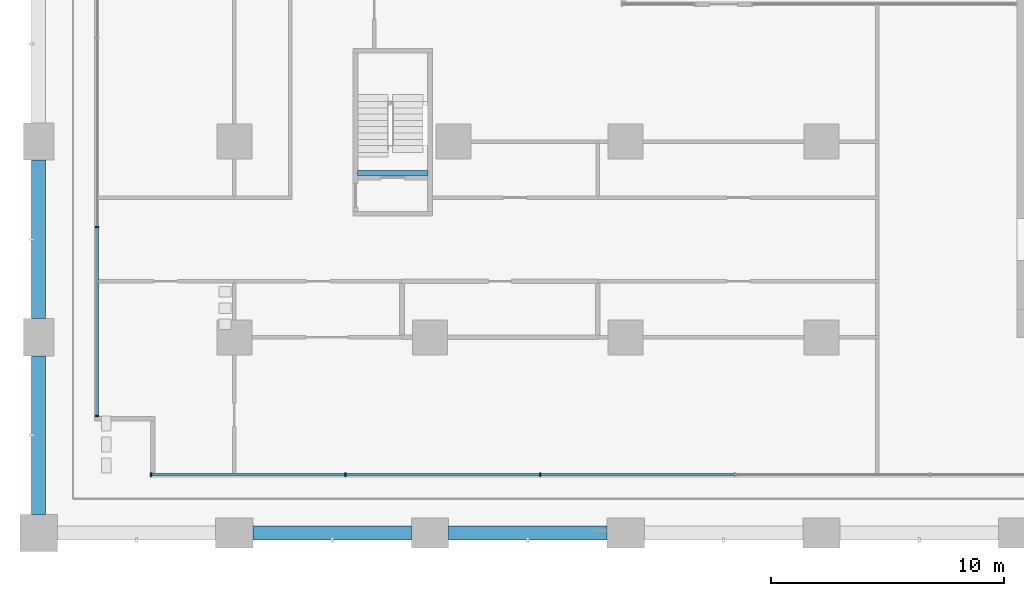
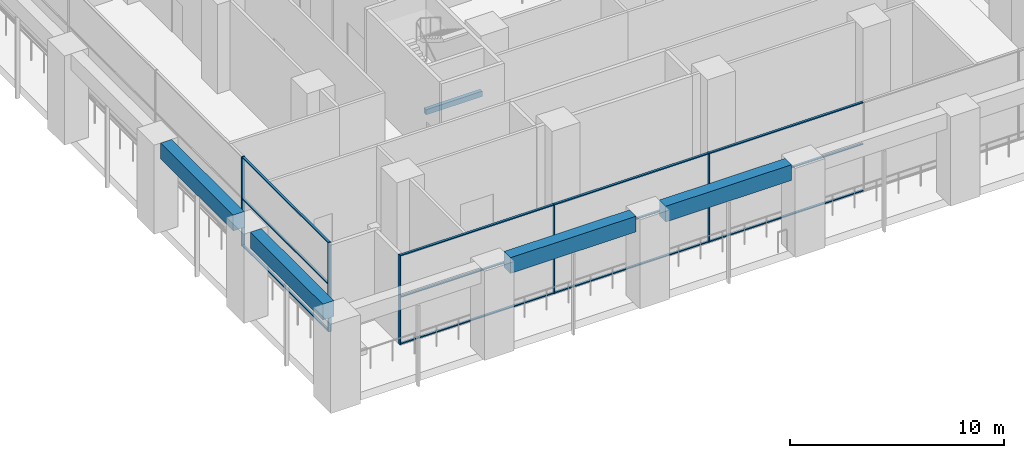
# One storey, part 2 of 33: 17 members, 5 beams, 2 elements without a shape of their own.
"""IFC4 building model written with IfcOpenShell, lengths in metres."""

from ifc_helpers import new_model, si_unit, direction, frame, origin, origin_2d, place, context, subcontext, project, spatial, rectangle, extrude, material, material_profile, profile_set, type_object, element, aggregate, save


model = new_model("IFC4")

# Units and contexts
model_context = context("Model", 3, precision=1e-05, world=origin(), true_north=direction((0.0, 1.0)))
body_context = subcontext(model_context, "Body", "Model", "MODEL_VIEW")
ifc_project = project(units=[si_unit("LENGTHUNIT", "METRE"), si_unit("AREAUNIT", "SQUARE_METRE"), si_unit("VOLUMEUNIT", "CUBIC_METRE"), si_unit("PLANEANGLEUNIT", "RADIAN"), si_unit("MASSUNIT", "GRAM", prefix="KILO")], contexts=[model_context])

# Site, building, storey
site_placement = place(None, origin())
site = spatial("IfcSite", under=ifc_project, at=site_placement, CompositionType="ELEMENT")
building_placement = place(site_placement, origin())
building = spatial("IfcBuilding", under=site, at=building_placement, Name="Vermilion Gate Residences", CompositionType="ELEMENT")
storey_placement = place(building_placement, frame((0.0, 0.0, 14.39990234375)))
storey = spatial("IfcBuildingStorey", under=building, at=storey_placement, Name="L02", CompositionType="ELEMENT", Elevation=14.39990234375)

# Curtain wall, members
ifc_material_1 = material(Name="Aluminium and glass", Category="aluminium")
curtain_wall_type = type_object("IfcCurtainWallType", Name="AMENITY GLAZING CURTAIN WALL", PredefinedType="NOTDEFINED", material=ifc_material_1)
curtain_wall_1_placement = place(storey_placement, origin())
curtain_wall_1 = element("IfcCurtainWall", 1, at=curtain_wall_1_placement, inside=storey, type_object=curtain_wall_type, Name="Amenity Glazing 30", PredefinedType="NOTDEFINED")
ifc_material_2 = material(Name="Aluminium", Category="aluminium")
ifc_material_profile_1 = material_profile(ifc_material_2, rectangle(XDim=0.159912109375, YDim=0.06005859375, at=origin_2d()), Name="MULLION 60 X 160")
ifc_profile_set_1 = profile_set([ifc_material_profile_1], Name="Aluminium")
member_type_1 = type_object("IfcMemberType", Name="AMENITY GLAZING MULLION 60 X 160", PredefinedType="MULLION", material=ifc_profile_set_1)
member_1_placement = place(storey_placement, frame((2.5, 13.13330078125, 0.0), z_axis=(0.0, 0.0, 1.0), x_axis=(1.0, 0.0, 0.0)))
member_1 = element("IfcMember", 2, at=member_1_placement, type_object=member_type_1, Name="ECW2 mullion 6", PredefinedType="MULLION", context=body_context, shape_type="SweptSolid", body=[
    extrude(rectangle(XDim=0.159912109375, YDim=0.06005859375, at=origin_2d()), origin(), (0.0, 0.0, 1.0), 5.10009765625),
])
member_2_placement = place(storey_placement, frame((2.5, 5.030029296875, 0.0), z_axis=(0.0, 0.0, 1.0), x_axis=(1.0, 0.0, 0.0)))
member_2 = element("IfcMember", 3, at=member_2_placement, type_object=member_type_1, Name="ECW2 mullion 7", PredefinedType="MULLION", context=body_context, shape_type="SweptSolid", body=[
    extrude(rectangle(XDim=0.159912109375, YDim=0.06005859375, at=origin_2d()), origin(), (0.0, 0.0, 1.0), 5.10009765625),
])

curtain_wall_2_placement = place(storey_placement, origin())
curtain_wall_2 = element("IfcCurtainWall", 4, at=curtain_wall_2_placement, inside=storey, type_object=curtain_wall_type, Name="Amenity Glazing 60", PredefinedType="NOTDEFINED")
member_3_placement = place(storey_placement, frame((4.830078125, 2.5, 0.0), z_axis=(0.0, 0.0, 1.0), x_axis=(0.0, 1.0, 0.0)))
member_3 = element("IfcMember", 5, at=member_3_placement, type_object=member_type_1, Name="ECW2 mullion 1", PredefinedType="MULLION", context=body_context, shape_type="SweptSolid", body=[
    extrude(rectangle(XDim=0.159912109375, YDim=0.06005859375, at=origin_2d()), origin(), (0.0, 0.0, 1.0), 5.10009765625),
])
member_4_placement = place(storey_placement, frame((13.166748046875, 2.5, 0.0), z_axis=(0.0, 0.0, 1.0), x_axis=(0.0, 1.0, 0.0)))
member_4 = element("IfcMember", 6, at=member_4_placement, type_object=member_type_1, Name="ECW2 mullion 2", PredefinedType="MULLION", context=body_context, shape_type="SweptSolid", body=[
    extrude(rectangle(XDim=0.159912109375, YDim=0.06005859375, at=origin_2d()), origin(), (0.0, 0.0, 1.0), 5.10009765625),
])
member_5_placement = place(storey_placement, frame((21.533447265625, 2.5, 0.0), z_axis=(0.0, 0.0, 1.0), x_axis=(0.0, 1.0, 0.0)))
member_5 = element("IfcMember", 7, at=member_5_placement, type_object=member_type_1, Name="ECW2 mullion 3", PredefinedType="MULLION", context=body_context, shape_type="SweptSolid", body=[
    extrude(rectangle(XDim=0.159912109375, YDim=0.06005859375, at=origin_2d()), origin(), (0.0, 0.0, 1.0), 5.10009765625),
])

# Member
ifc_material_3 = material(Name="Aluminium", Category="aluminium")
ifc_material_profile_2 = material_profile(ifc_material_3, rectangle(XDim=0.1201171875, YDim=0.06005859375, at=origin_2d()), Name="TRANSOM 60 X 120")
ifc_profile_set_2 = profile_set([ifc_material_profile_2], Name="Aluminium")
member_type_2 = type_object("IfcMemberType", Name="AMENITY GLAZING TRANSOM 60 X 120", PredefinedType="MULLION", material=ifc_profile_set_2)
member_6_placement = place(storey_placement, frame((2.5, 13.103271484375, 0.030029296875), z_axis=(0.0, -1.0, 0.0), x_axis=(1.0, 0.0, 0.0)))
member_6 = element("IfcMember", 8, at=member_6_placement, type_object=member_type_2, Name="ECW2 transom 6.1", PredefinedType="MULLION", context=body_context, shape_type="SweptSolid", body=[
    extrude(rectangle(XDim=0.1201171875, YDim=0.06005859375, at=origin_2d()), origin(), (0.0, 0.0, 1.0), 8.043212890625),
])

member_7_placement = place(storey_placement, frame((2.5, 13.103271484375, 2.7001953125), z_axis=(0.0, -1.0, 0.0), x_axis=(1.0, 0.0, 0.0)))
member_7 = element("IfcMember", 9, at=member_7_placement, type_object=member_type_2, Name="ECW2 transom 6.2", PredefinedType="MULLION", context=body_context, shape_type="SweptSolid", body=[
    extrude(rectangle(XDim=0.1201171875, YDim=0.06005859375, at=origin_2d()), origin(), (0.0, 0.0, 1.0), 8.043212890625),
])

member_8_placement = place(storey_placement, frame((2.5, 13.103271484375, 5.070068359375), z_axis=(0.0, -1.0, 0.0), x_axis=(1.0, 0.0, 0.0)))
member_8 = element("IfcMember", 10, at=member_8_placement, type_object=member_type_2, Name="ECW2 transom 6.3", PredefinedType="MULLION", context=body_context, shape_type="SweptSolid", body=[
    extrude(rectangle(XDim=0.1201171875, YDim=0.06005859375, at=origin_2d()), origin(), (0.0, 0.0, 1.0), 8.043212890625),
])

aggregate(curtain_wall_1, [member_1, member_2, member_6, member_7, member_8])

member_9_placement = place(storey_placement, frame((4.860107421875, 2.5, 0.030029296875), z_axis=(1.0, 0.0, 0.0), x_axis=(0.0, 1.0, 0.0)))
member_9 = element("IfcMember", 11, at=member_9_placement, type_object=member_type_2, Name="ECW2 transom 1.1", PredefinedType="MULLION", context=body_context, shape_type="SweptSolid", body=[
    extrude(rectangle(XDim=0.1201171875, YDim=0.06005859375, at=origin_2d()), origin(), (0.0, 0.0, 1.0), 8.276611328125),
])

member_10_placement = place(storey_placement, frame((4.860107421875, 2.5, 2.7001953125), z_axis=(1.0, 0.0, 0.0), x_axis=(0.0, 1.0, 0.0)))
member_10 = element("IfcMember", 12, at=member_10_placement, type_object=member_type_2, Name="ECW2 transom 1.2", PredefinedType="MULLION", context=body_context, shape_type="SweptSolid", body=[
    extrude(rectangle(XDim=0.1201171875, YDim=0.06005859375, at=origin_2d()), origin(), (0.0, 0.0, 1.0), 8.276611328125),
])

member_11_placement = place(storey_placement, frame((4.860107421875, 2.5, 5.070068359375), z_axis=(1.0, 0.0, 0.0), x_axis=(0.0, 1.0, 0.0)))
member_11 = element("IfcMember", 13, at=member_11_placement, type_object=member_type_2, Name="ECW2 transom 1.3", PredefinedType="MULLION", context=body_context, shape_type="SweptSolid", body=[
    extrude(rectangle(XDim=0.1201171875, YDim=0.06005859375, at=origin_2d()), origin(), (0.0, 0.0, 1.0), 8.276611328125),
])

member_12_placement = place(storey_placement, frame((13.19677734375, 2.5, 0.030029296875), z_axis=(1.0, 0.0, 0.0), x_axis=(0.0, 1.0, 0.0)))
member_12 = element("IfcMember", 14, at=member_12_placement, type_object=member_type_2, Name="ECW2 transom 2.1", PredefinedType="MULLION", context=body_context, shape_type="SweptSolid", body=[
    extrude(rectangle(XDim=0.1201171875, YDim=0.06005859375, at=origin_2d()), origin(), (0.0, 0.0, 1.0), 8.306640625),
])

member_13_placement = place(storey_placement, frame((13.19677734375, 2.5, 2.7001953125), z_axis=(1.0, 0.0, 0.0), x_axis=(0.0, 1.0, 0.0)))
member_13 = element("IfcMember", 15, at=member_13_placement, type_object=member_type_2, Name="ECW2 transom 2.2", PredefinedType="MULLION", context=body_context, shape_type="SweptSolid", body=[
    extrude(rectangle(XDim=0.1201171875, YDim=0.06005859375, at=origin_2d()), origin(), (0.0, 0.0, 1.0), 8.306640625),
])

member_14_placement = place(storey_placement, frame((13.19677734375, 2.5, 5.070068359375), z_axis=(1.0, 0.0, 0.0), x_axis=(0.0, 1.0, 0.0)))
member_14 = element("IfcMember", 16, at=member_14_placement, type_object=member_type_2, Name="ECW2 transom 2.3", PredefinedType="MULLION", context=body_context, shape_type="SweptSolid", body=[
    extrude(rectangle(XDim=0.1201171875, YDim=0.06005859375, at=origin_2d()), origin(), (0.0, 0.0, 1.0), 8.306640625),
])

member_15_placement = place(storey_placement, frame((21.563232421875, 2.5, 0.030029296875), z_axis=(1.0, 0.0, 0.0), x_axis=(0.0, 1.0, 0.0)))
member_15 = element("IfcMember", 17, at=member_15_placement, type_object=member_type_2, Name="ECW2 transom 3.1", PredefinedType="MULLION", context=body_context, shape_type="SweptSolid", body=[
    extrude(rectangle(XDim=0.1201171875, YDim=0.06005859375, at=origin_2d()), origin(), (0.0, 0.0, 1.0), 8.306884765625),
])

member_16_placement = place(storey_placement, frame((21.563232421875, 2.5, 2.7001953125), z_axis=(1.0, 0.0, 0.0), x_axis=(0.0, 1.0, 0.0)))
member_16 = element("IfcMember", 18, at=member_16_placement, type_object=member_type_2, Name="ECW2 transom 3.2", PredefinedType="MULLION", context=body_context, shape_type="SweptSolid", body=[
    extrude(rectangle(XDim=0.1201171875, YDim=0.06005859375, at=origin_2d()), origin(), (0.0, 0.0, 1.0), 8.306884765625),
])

member_17_placement = place(storey_placement, frame((21.563232421875, 2.5, 5.070068359375), z_axis=(1.0, 0.0, 0.0), x_axis=(0.0, 1.0, 0.0)))
member_17 = element("IfcMember", 19, at=member_17_placement, type_object=member_type_2, Name="ECW2 transom 3.3", PredefinedType="MULLION", context=body_context, shape_type="SweptSolid", body=[
    extrude(rectangle(XDim=0.1201171875, YDim=0.06005859375, at=origin_2d()), origin(), (0.0, 0.0, 1.0), 8.306884765625),
])

aggregate(curtain_wall_2, [member_3, member_4, member_5, member_9, member_10, member_11, member_12, member_13, member_14, member_15, member_16, member_17])

# Beams
ifc_material_4 = material(Name="Concrete C60 red-oxide pigmented", Category="concrete")
ifc_material_profile_3 = material_profile(ifc_material_4, rectangle(XDim=0.60009765625, YDim=0.89990234375, at=origin_2d()), Name="RC-600x900")
ifc_profile_set_3 = profile_set([ifc_material_profile_3], Name="Concrete C60 red-oxide pigmented")
beam_type_1 = type_object("IfcBeamType", Name="RC EDGE BEAM 600 X 900 C60", PredefinedType="BEAM", material=ifc_profile_set_3)
for number, where, z_axis, x_axis, name in (
    (20, (0.0, 0.800048828125, 4.650146484375), (0.0, 1.0, 0.0), (-1.0, 0.0, 0.0), "Edge beam L02 2"),
    (21, (0.0, 9.199951171875, 4.650146484375), (0.0, 1.0, 0.0), (-1.0, 0.0, 0.0), "Edge beam L02 3"),
    (22, (9.199951171875, 0.0, 4.650146484375), (1.0, 0.0, 0.0), (0.0, 1.0, 0.0), "Edge beam L02 10"),
):
    element("IfcBeam", number, at=place(storey_placement, frame(where, z_axis=z_axis, x_axis=x_axis)), inside=storey, type_object=beam_type_1, Name=name, PredefinedType="BEAM", context=body_context, shape_type="SweptSolid", body=[
        extrude(rectangle(XDim=0.60009765625, YDim=0.89990234375, at=origin_2d()), origin(), (0.0, 0.0, 1.0), 6.800048828125),
    ])
beam_1_placement = place(storey_placement, frame((17.60009765625, 0.0, 4.650146484375), z_axis=(1.0, 0.0, 0.0), x_axis=(0.0, 1.0, 0.0)))
element("IfcBeam", 23, at=beam_1_placement, inside=storey, type_object=beam_type_1, Name="Edge beam L02 11", PredefinedType="BEAM", context=body_context, shape_type="SweptSolid", body=[
    extrude(rectangle(XDim=0.60009765625, YDim=0.89990234375, at=origin_2d()), origin(), (0.0, 0.0, 1.0), 6.7998046875),
])
ifc_material_5 = material(Name="Concrete C50", Category="concrete")
ifc_material_profile_4 = material_profile(ifc_material_5, rectangle(XDim=0.199951171875, YDim=0.300048828125, at=origin_2d()), Name="RC-200x300")
ifc_profile_set_4 = profile_set([ifc_material_profile_4], Name="Concrete C50")
beam_type_2 = type_object("IfcBeamType", Name="RC LANDING BEAM 200 X 300 C50", PredefinedType="BEAM", material=ifc_profile_set_4)
beam_2_placement = place(storey_placement, frame((13.679931640625, 15.449951171875, 2.35009765625), z_axis=(1.0, 0.0, 0.0), x_axis=(0.0, 1.0, 0.0)))
element("IfcBeam", 24, at=beam_2_placement, inside=storey, type_object=beam_type_2, Name="Landing beam STC1-02 2", PredefinedType="BEAM", context=body_context, shape_type="SweptSolid", body=[
    extrude(rectangle(XDim=0.199951171875, YDim=0.300048828125, at=origin_2d()), origin(), (0.0, 0.0, 1.0), 3.0400390625),
])

save(model, "model.ifc")
